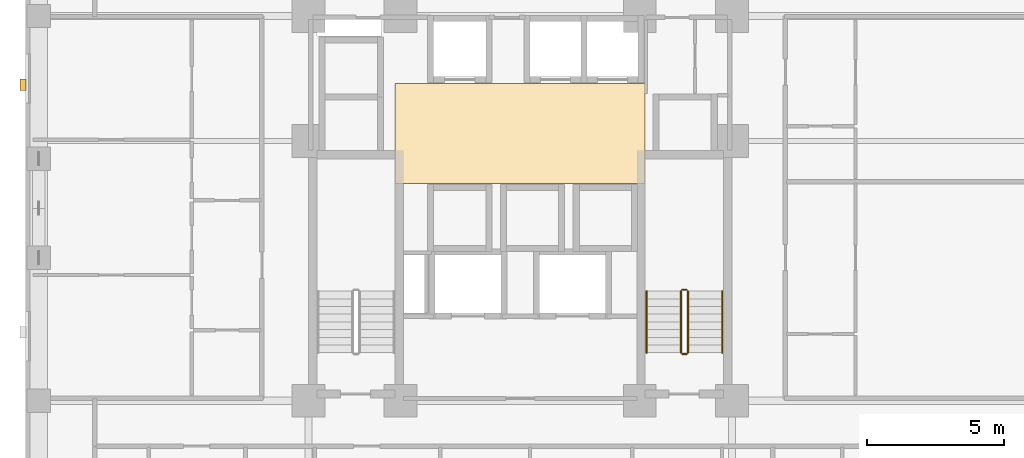
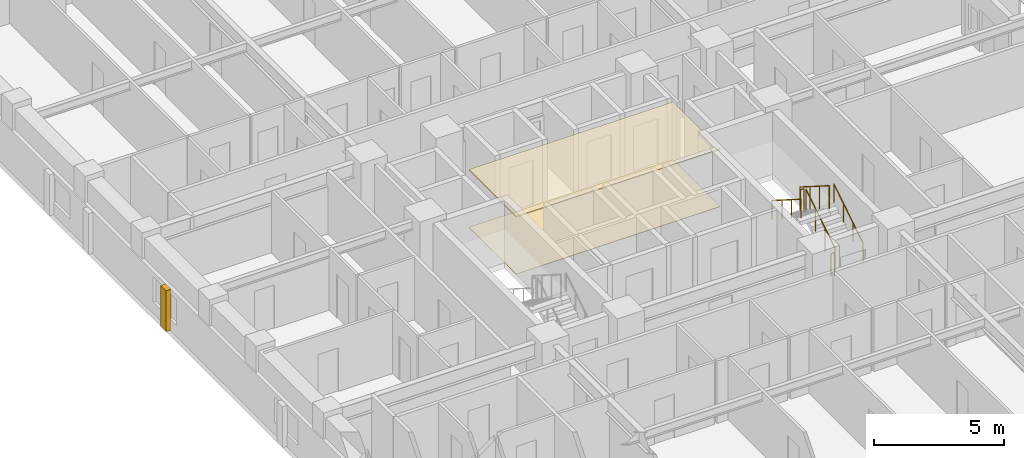
# One storey, part 13 of 14: 6 railings, 3 coverings.
"""IFC4 building model written with IfcOpenShell, lengths in metres."""

from ifc_helpers import new_model, si_unit, derived_unit, direction, frame, origin, origin_2d, place, context, subcontext, project, spatial, polyline, rectangle, circle, outline, extrude, material, layer, layer_set, type_object, element, save


model = new_model("IFC4")

# Units and contexts
model_context = context("Model", 3, precision=1e-05, world=origin(), true_north=direction((0.0, 1.0)))
body_context = subcontext(model_context, "Body", "Model", "MODEL_VIEW")
ifc_project = project(units=[si_unit("LENGTHUNIT", "METRE"), si_unit("AREAUNIT", "SQUARE_METRE"), si_unit("VOLUMEUNIT", "CUBIC_METRE"), si_unit("PLANEANGLEUNIT", "RADIAN"), si_unit("MASSUNIT", "GRAM", prefix="KILO"), derived_unit("THERMALTRANSMITTANCEUNIT", [(si_unit("MASSUNIT", "GRAM", prefix="KILO"), 1), (si_unit("TIMEUNIT", "SECOND"), -3), (si_unit("THERMODYNAMICTEMPERATUREUNIT", "KELVIN"), -1)])], contexts=[model_context])

# Site, building, storey
site_placement = place(None, origin())
site = spatial("IfcSite", under=ifc_project, at=site_placement, CompositionType="ELEMENT")
building_placement = place(site_placement, origin())
building = spatial("IfcBuilding", under=site, at=building_placement, Name="Korrvale Station Residences", CompositionType="ELEMENT")
storey_placement = place(building_placement, frame((0.0, 0.0, 51.39990234375)))
storey = spatial("IfcBuildingStorey", under=building, at=storey_placement, Name="L13", CompositionType="ELEMENT", Elevation=51.39990234375)

# Coverings
ifc_material_1 = material(Name="Perforated acoustic mineral-fibre suspended ceiling", Category="gypsum")
ifc_layer_1 = layer(ifc_material_1, 0.050048828125, Name="Perforated acoustic mineral-fibre suspended ceiling")
ifc_layer_set_1 = layer_set([ifc_layer_1], Name="Perforated acoustic mineral-fibre suspended ceiling")
covering_type_1 = type_object("IfcCoveringType", Name="COV-CLG-AC60", PredefinedType="CEILING", material=ifc_layer_set_1)
covering_1_placement = place(storey_placement, frame((0.0, 0.0, 2.690185546875)))
element("IfcCovering", 1, at=covering_1_placement, inside=storey, type_object=covering_type_1, Name="L13 Elevator Lobby Acoustic Ceiling", PredefinedType="CEILING", context=body_context, shape_type="SweptSolid", body=[
    extrude(outline(polyline([(20.949951171875, 22.89990234375), (30.050048828125, 22.89990234375), (30.050048828125, 26.550048828125), (20.949951171875, 26.550048828125), (20.949951171875, 22.89990234375)])), origin(), (0.0, 0.0, 1.0), 0.0498046875),
])
ifc_material_2 = material(Name="Polished quartz-terrazzo lobby flooring", Category="masonry")
ifc_layer_2 = layer(ifc_material_2, 0.02001953125, Name="Polished quartz-terrazzo lobby flooring")
ifc_layer_set_2 = layer_set([ifc_layer_2], Name="Polished quartz-terrazzo lobby flooring")
covering_type_2 = type_object("IfcCoveringType", Name="COV-FLR-TER20", PredefinedType="FLOORING", material=ifc_layer_set_2)
covering_2_placement = place(storey_placement, origin())
element("IfcCovering", 2, at=covering_2_placement, inside=storey, type_object=covering_type_2, Name="L13 Elevator Lobby Terrazzo Flooring", PredefinedType="FLOORING", context=body_context, shape_type="SweptSolid", body=[
    extrude(outline(polyline([(20.949951171875, 22.89990234375), (30.050048828125, 22.89990234375), (30.050048828125, 26.550048828125), (20.949951171875, 26.550048828125), (20.949951171875, 22.89990234375)])), origin(), (0.0, 0.0, 1.0), 0.02001953125),
])
ifc_material_3 = material(Name="Architectural precast concrete C45/55", Category="concrete")
ifc_layer_3 = layer(ifc_material_3, 0.219970703125, Name="Architectural precast concrete C45/55")
ifc_layer_set_3 = layer_set([ifc_layer_3], Name="Architectural precast concrete C45/55")
covering_type_3 = type_object("IfcCoveringType", Name="COV-PIER-400", PredefinedType="CLADDING", material=ifc_layer_set_3)
covering_3_placement = place(storey_placement, frame((7.409912109375, 26.5, 0.02490234375), z_axis=(0.0, 0.0, 1.0), x_axis=(0.0, 1.0, 0.0)))
element("IfcCovering", 3, at=covering_3_placement, inside=storey, type_object=covering_type_3, Name="L13 Architectural Precast Facade Pier 14", PredefinedType="CLADDING", context=body_context, shape_type="SweptSolid", body=[
    extrude(rectangle(XDim=0.419921875, YDim=0.219970703125, at=origin_2d()), origin(), (0.0, 0.0, 1.0), 1.925048828125),
])

# Railings
ifc_material_4 = material(Name="Brushed stainless-steel continuous stair handrail", Category="steel")
railing_type_1 = type_object("IfcRailingType", Name="RLG-SHND-900", PredefinedType="HANDRAIL", material=ifc_material_4)
railing_1_placement = place(storey_placement, frame((32.85009765625, 16.75, 0.177978515625)))
element("IfcRailing", 4, at=railing_1_placement, inside=storey, type_object=railing_type_1, Name="L13 ST-2 stair handrail 1", PredefinedType="HANDRAIL", context=body_context, shape_type="SweptSolid", body=[
    extrude(circle(Radius=0.02392578125, at=origin_2d()), frame((0.0, 0.0, 0.8759765625), z_axis=(0.0, 0.8442293374, 0.53598211339), x_axis=(-1.0, 0.0, 0.0)), (0.0, 0.0, 1.0), 2.6533203125),
    extrude(circle(Radius=0.02099609375, at=origin_2d()), origin(), (0.0, 0.0, 1.0), 0.851806640625),
    extrude(circle(Radius=0.02099609375, at=origin_2d()), frame((0.0, 0.74658203125, 0.47412109375)), (0.0, 0.0, 1.0), 0.851806640625),
    extrude(circle(Radius=0.02099609375, at=origin_2d()), frame((0.0, 1.493408203125, 0.947998046875)), (0.0, 0.0, 1.0), 0.851806640625),
    extrude(circle(Radius=0.02099609375, at=origin_2d()), frame((0.0, 2.239990234375, 1.422119140625)), (0.0, 0.0, 1.0), 0.851806640625),
])
railing_2_placement = place(storey_placement, frame((30.10009765625, 18.989990234375, 1.77783203125)))
element("IfcRailing", 5, at=railing_2_placement, inside=storey, type_object=railing_type_1, Name="L13 ST-2 stair handrail 2", PredefinedType="HANDRAIL", context=body_context, shape_type="SweptSolid", body=[
    extrude(circle(Radius=0.02392578125, at=origin_2d()), frame((0.0, 0.0, 0.8759765625), z_axis=(0.0, -0.84418770128, 0.536047689118), x_axis=(1.0, 0.0, 0.0)), (0.0, 0.0, 1.0), 2.6533203125),
    extrude(circle(Radius=0.02099609375, at=origin_2d()), origin(), (0.0, 0.0, 1.0), 0.851806640625),
    extrude(circle(Radius=0.02099609375, at=origin_2d()), frame((0.0, -0.74658203125, 0.47412109375)), (0.0, 0.0, 1.0), 0.851806640625),
    extrude(circle(Radius=0.02099609375, at=origin_2d()), frame((0.0, -1.493408203125, 0.9482421875)), (0.0, 0.0, 1.0), 0.851806640625),
    extrude(circle(Radius=0.02099609375, at=origin_2d()), frame((0.0, -2.239990234375, 1.42236328125)), (0.0, 0.0, 1.0), 0.851806640625),
])
ifc_material_5 = material(Name="Galvanised painted tubular steel stair guard", Category="steel")
railing_type_2 = type_object("IfcRailingType", Name="RLG-STR-1100", PredefinedType="GUARDRAIL", material=ifc_material_5)
railing_3_placement = place(storey_placement, frame((31.60009765625, 16.75, 0.177978515625)))
element("IfcRailing", 6, at=railing_3_placement, inside=storey, type_object=railing_type_2, Name="L13 ST-2 stair guard 1", PredefinedType="GUARDRAIL", context=body_context, shape_type="SweptSolid", body=[
    extrude(circle(Radius=0.02392578125, at=origin_2d()), frame((0.0, 0.0, 1.076171875), z_axis=(0.0, 0.8442293374, 0.53598211339), x_axis=(-1.0, 0.0, 0.0)), (0.0, 0.0, 1.0), 2.6533203125),
    extrude(circle(Radius=0.02099609375, at=origin_2d()), origin(), (0.0, 0.0, 1.0), 1.052001953125),
    extrude(circle(Radius=0.02099609375, at=origin_2d()), frame((0.0, 0.74658203125, 0.47412109375)), (0.0, 0.0, 1.0), 1.052001953125),
    extrude(circle(Radius=0.02099609375, at=origin_2d()), frame((0.0, 1.493408203125, 0.947998046875)), (0.0, 0.0, 1.0), 1.052001953125),
    extrude(circle(Radius=0.02099609375, at=origin_2d()), frame((0.0, 2.239990234375, 1.422119140625)), (0.0, 0.0, 1.0), 1.052001953125),
])
railing_4_placement = place(storey_placement, frame((31.550048828125, 19.0400390625, 1.60009765625)))
element("IfcRailing", 7, at=railing_4_placement, inside=storey, type_object=railing_type_2, Name="L13 ST-2 stair guard 2", PredefinedType="GUARDRAIL", context=body_context, shape_type="SweptSolid", body=[
    extrude(circle(Radius=0.02392578125, at=origin_2d()), frame((0.0, 0.0, 1.076171875), z_axis=(-1.0, 0.0, 0.0), x_axis=(0.0, -1.0, 0.0)), (0.0, 0.0, 1.0), 0.150146484375),
    extrude(circle(Radius=0.02099609375, at=origin_2d()), origin(), (0.0, 0.0, 1.0), 1.052001953125),
    extrude(circle(Radius=0.02099609375, at=origin_2d()), frame((-0.150146484375, 0.0, 0.0)), (0.0, 0.0, 1.0), 1.052001953125),
])
railing_5_placement = place(storey_placement, frame((31.35009765625, 18.989990234375, 1.77783203125)))
element("IfcRailing", 8, at=railing_5_placement, inside=storey, type_object=railing_type_2, Name="L13 ST-2 stair guard 3", PredefinedType="GUARDRAIL", context=body_context, shape_type="SweptSolid", body=[
    extrude(circle(Radius=0.02392578125, at=origin_2d()), frame((0.0, 0.0, 1.076171875), z_axis=(0.0, -0.84418770128, 0.536047689118), x_axis=(1.0, 0.0, 0.0)), (0.0, 0.0, 1.0), 2.6533203125),
    extrude(circle(Radius=0.02099609375, at=origin_2d()), origin(), (0.0, 0.0, 1.0), 1.052001953125),
    extrude(circle(Radius=0.02099609375, at=origin_2d()), frame((0.0, -0.74658203125, 0.47412109375)), (0.0, 0.0, 1.0), 1.052001953125),
    extrude(circle(Radius=0.02099609375, at=origin_2d()), frame((0.0, -1.493408203125, 0.9482421875)), (0.0, 0.0, 1.0), 1.052001953125),
    extrude(circle(Radius=0.02099609375, at=origin_2d()), frame((0.0, -2.239990234375, 1.42236328125)), (0.0, 0.0, 1.0), 1.052001953125),
])
railing_6_placement = place(storey_placement, frame((31.550048828125, 16.699951171875, 0.0)))
element("IfcRailing", 9, at=railing_6_placement, inside=storey, type_object=railing_type_2, Name="L13 ST-2 stair guard 4", PredefinedType="GUARDRAIL", context=body_context, shape_type="SweptSolid", body=[
    extrude(circle(Radius=0.02392578125, at=origin_2d()), frame((0.0, 0.0, 1.076171875), z_axis=(-1.0, 0.0, 0.0), x_axis=(0.0, -1.0, 0.0)), (0.0, 0.0, 1.0), 0.150146484375),
    extrude(circle(Radius=0.02099609375, at=origin_2d()), origin(), (0.0, 0.0, 1.0), 1.052001953125),
    extrude(circle(Radius=0.02099609375, at=origin_2d()), frame((-0.150146484375, 0.0, 0.0)), (0.0, 0.0, 1.0), 1.052001953125),
])

save(model, "model.ifc")
